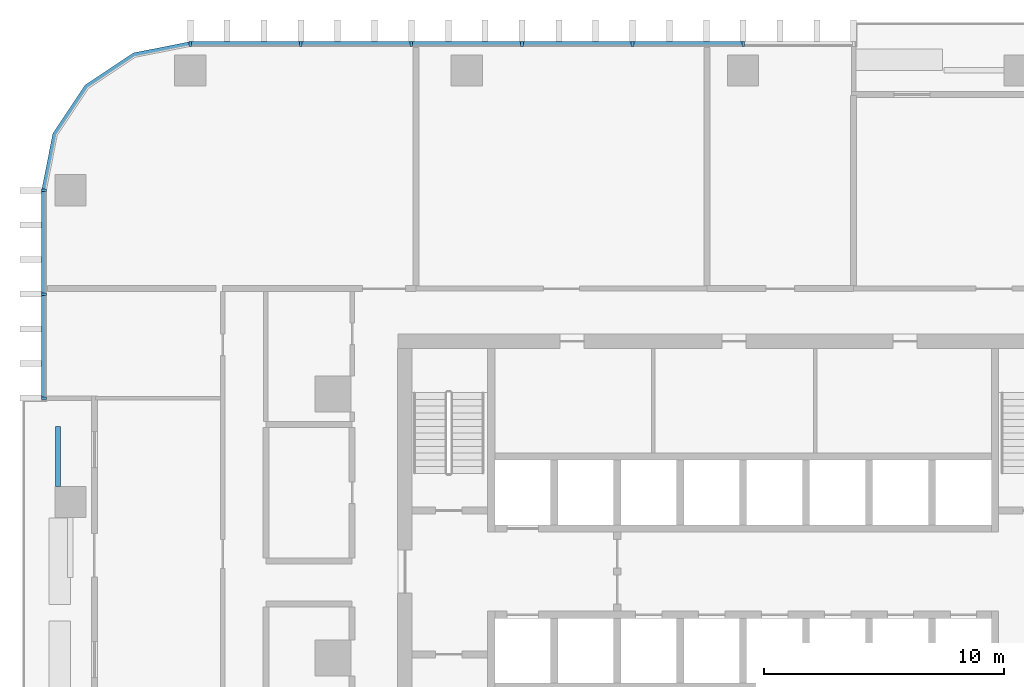
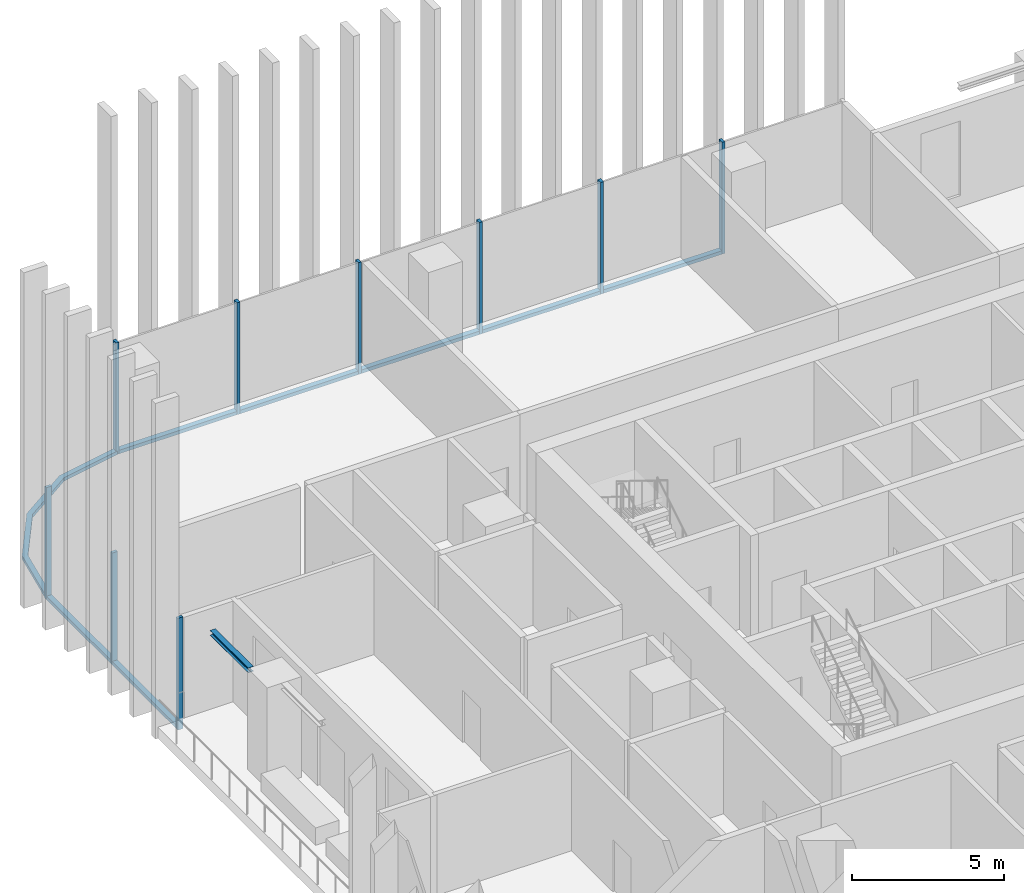
# One storey, part 4 of 17: 17 members, 1 beam, 3 elements without a shape of their own.
"""IFC4 building model written with IfcOpenShell, lengths in metres."""

from ifc_helpers import new_model, si_unit, direction, frame, origin, origin_2d, place, context, subcontext, project, spatial, polyline, rectangle, i_section, outline, extrude, material, material_profile, profile_set, type_object, element, aggregate, save


model = new_model("IFC4")

# Units and contexts
model_context = context("Model", 3, precision=1e-05, world=origin(), true_north=direction((0.0, 1.0)))
body_context = subcontext(model_context, "Body", "Model", "MODEL_VIEW")
ifc_project = project(units=[si_unit("LENGTHUNIT", "METRE"), si_unit("AREAUNIT", "SQUARE_METRE"), si_unit("VOLUMEUNIT", "CUBIC_METRE"), si_unit("PLANEANGLEUNIT", "RADIAN"), si_unit("MASSUNIT", "GRAM", prefix="KILO")], contexts=[model_context])

# Site, building, storey
site_placement = place(None, origin())
site = spatial("IfcSite", under=ifc_project, at=site_placement, CompositionType="ELEMENT")
building_placement = place(site_placement, origin())
building = spatial("IfcBuilding", under=site, at=building_placement, Name="Mopane Tessera Tower", CompositionType="ELEMENT")
storey_placement = place(building_placement, frame((0.0, 0.0, 108.10009765625)))
storey = spatial("IfcBuildingStorey", under=building, at=storey_placement, Name="L21", CompositionType="ELEMENT", Elevation=108.10009765625)

# Curtain wall, members
ifc_material_1 = material(Name="Aluminium frame", Category="aluminium")
curtain_wall_type = type_object("IfcCurtainWallType", Name="Lower tower unitised wall", PredefinedType="NOTDEFINED", material=ifc_material_1)
curtain_wall_1_placement = place(storey_placement, origin())
curtain_wall_1 = element("IfcCurtainWall", 1, at=curtain_wall_1_placement, inside=storey, type_object=curtain_wall_type, Name="e:cw:L21:N:4", PredefinedType="NOTDEFINED")
ifc_material_2 = material(Name="Aluminium frame", Category="aluminium")
ifc_material_profile_1 = material_profile(ifc_material_2, rectangle(XDim=0.110107421875, YDim=0.199951171875, at=origin_2d()))
ifc_profile_set_1 = profile_set([ifc_material_profile_1], Name="Aluminium frame")
member_type_1 = type_object("IfcMemberType", Name="Aluminium mullion 110 x 200", PredefinedType="MULLION", material=ifc_profile_set_1)
member_1_placement = place(storey_placement, frame((0.0, 25.60009765625, -0.4501953125), z_axis=(0.0, 0.0, 1.0), x_axis=(-1.0, 0.0, 0.0)))
member_1 = element("IfcMember", 2, at=member_1_placement, type_object=member_type_1, Name="e:cw:L21:N:4:mu5", PredefinedType="MULLION", context=body_context, shape_type="SweptSolid", body=[
    extrude(rectangle(XDim=0.110107421875, YDim=0.199951171875, at=origin_2d()), origin(), (0.0, 0.0, 1.0), 4.5),
])
member_2_placement = place(storey_placement, frame((-4.610107421875, 25.60009765625, -0.4501953125), z_axis=(0.0, 0.0, 1.0), x_axis=(-1.0, 0.0, 0.0)))
member_2 = element("IfcMember", 3, at=member_2_placement, type_object=member_type_1, Name="e:cw:L21:N:4:mu6", PredefinedType="MULLION", context=body_context, shape_type="SweptSolid", body=[
    extrude(rectangle(XDim=0.110107421875, YDim=0.199951171875, at=origin_2d()), origin(), (0.0, 0.0, 1.0), 4.5),
])
member_3_placement = place(storey_placement, frame((-9.219970703125, 25.60009765625, -0.4501953125), z_axis=(0.0, 0.0, 1.0), x_axis=(-1.0, 0.0, 0.0)))
member_3 = element("IfcMember", 4, at=member_3_placement, type_object=member_type_1, Name="e:cw:L21:N:4:mu7", PredefinedType="MULLION", context=body_context, shape_type="SweptSolid", body=[
    extrude(rectangle(XDim=0.110107421875, YDim=0.199951171875, at=origin_2d()), origin(), (0.0, 0.0, 1.0), 4.5),
])
member_4_placement = place(storey_placement, frame((-13.830078125, 25.60009765625, -0.4501953125), z_axis=(0.0, 0.0, 1.0), x_axis=(-1.0, 0.0, 0.0)))
member_4 = element("IfcMember", 5, at=member_4_placement, type_object=member_type_1, Name="e:cw:L21:N:4:mu8", PredefinedType="MULLION", context=body_context, shape_type="SweptSolid", body=[
    extrude(rectangle(XDim=0.110107421875, YDim=0.199951171875, at=origin_2d()), origin(), (0.0, 0.0, 1.0), 4.5),
])
member_5_placement = place(storey_placement, frame((-18.43994140625, 25.60009765625, -0.4501953125), z_axis=(0.0, 0.0, 1.0), x_axis=(-1.0, 0.0, 0.0)))
member_5 = element("IfcMember", 6, at=member_5_placement, type_object=member_type_1, Name="e:cw:L21:N:4:mu9", PredefinedType="MULLION", context=body_context, shape_type="SweptSolid", body=[
    extrude(rectangle(XDim=0.110107421875, YDim=0.199951171875, at=origin_2d()), origin(), (0.0, 0.0, 1.0), 4.5),
])
member_6_placement = place(storey_placement, frame((-23.050048828125, 25.60009765625, -0.4501953125), z_axis=(0.0, 0.0, 1.0), x_axis=(-1.0, 0.0, 0.0)))
member_6 = element("IfcMember", 7, at=member_6_placement, type_object=member_type_1, Name="e:cw:L21:N:4:mu10", PredefinedType="MULLION", context=body_context, shape_type="SweptSolid", body=[
    extrude(rectangle(XDim=0.110107421875, YDim=0.199951171875, at=origin_2d()), origin(), (0.0, 0.0, 1.0), 4.5),
])

curtain_wall_2_placement = place(storey_placement, origin())
curtain_wall_2 = element("IfcCurtainWall", 8, at=curtain_wall_2_placement, inside=storey, type_object=curtain_wall_type, Name="e:cw:L21:W:0", PredefinedType="NOTDEFINED")
member_7_placement = place(storey_placement, frame((-29.14990234375, 19.5, -0.4501953125), z_axis=(0.0, 0.0, 1.0), x_axis=(0.0, -1.0, 0.0)))
member_7 = element("IfcMember", 9, at=member_7_placement, type_object=member_type_1, Name="e:cw:L21:W:0:mu0", PredefinedType="MULLION", context=body_context, shape_type="SweptSolid", body=[
    extrude(rectangle(XDim=0.110107421875, YDim=0.199951171875, at=origin_2d()), origin(), (0.0, 0.0, 1.0), 4.5),
])
member_8_placement = place(storey_placement, frame((-29.14990234375, 15.166748046875, -0.4501953125), z_axis=(0.0, 0.0, 1.0), x_axis=(0.0, -1.0, 0.0)))
member_8 = element("IfcMember", 10, at=member_8_placement, type_object=member_type_1, Name="e:cw:L21:W:0:mu1", PredefinedType="MULLION", context=body_context, shape_type="SweptSolid", body=[
    extrude(rectangle(XDim=0.110107421875, YDim=0.199951171875, at=origin_2d()), origin(), (0.0, 0.0, 1.0), 4.5),
])
member_9_placement = place(storey_placement, frame((-29.14990234375, 10.833251953125, -0.4501953125), z_axis=(0.0, 0.0, 1.0), x_axis=(0.0, -1.0, 0.0)))
member_9 = element("IfcMember", 11, at=member_9_placement, type_object=member_type_1, Name="e:cw:L21:W:0:mu2", PredefinedType="MULLION", context=body_context, shape_type="SweptSolid", body=[
    extrude(rectangle(XDim=0.110107421875, YDim=0.199951171875, at=origin_2d()), origin(), (0.0, 0.0, 1.0), 4.5),
])

# Member
ifc_material_3 = material(Name="Aluminium frame", Category="aluminium")
ifc_material_profile_2 = material_profile(ifc_material_3, rectangle(XDim=0.199951171875, YDim=0.139892578125, at=origin_2d()))
ifc_profile_set_2 = profile_set([ifc_material_profile_2], Name="Aluminium frame")
member_type_2 = type_object("IfcMemberType", Name="Aluminium transom 200 x 140", PredefinedType="USERDEFINED", material=ifc_profile_set_2)
member_10_placement = place(storey_placement, frame((-0.054931640625, 25.60009765625, -0.380126953125), z_axis=(-1.0, 0.0, 0.0), x_axis=(0.0, -1.0, 0.0)))
member_10 = element("IfcMember", 12, at=member_10_placement, type_object=member_type_2, Name="e:cw:L21:N:4:tr5", ObjectType="TRANSOM", PredefinedType="USERDEFINED", context=body_context, shape_type="SweptSolid", body=[
    extrude(rectangle(XDim=0.199951171875, YDim=0.139892578125, at=origin_2d()), origin(), (0.0, 0.0, 1.0), 4.5),
])

member_11_placement = place(storey_placement, frame((-4.6650390625, 25.60009765625, -0.380126953125), z_axis=(-1.0, 0.0, 0.0), x_axis=(0.0, -1.0, 0.0)))
member_11 = element("IfcMember", 13, at=member_11_placement, type_object=member_type_2, Name="e:cw:L21:N:4:tr6", ObjectType="TRANSOM", PredefinedType="USERDEFINED", context=body_context, shape_type="SweptSolid", body=[
    extrude(rectangle(XDim=0.199951171875, YDim=0.139892578125, at=origin_2d()), origin(), (0.0, 0.0, 1.0), 4.5),
])

member_12_placement = place(storey_placement, frame((-9.27490234375, 25.60009765625, -0.380126953125), z_axis=(-1.0, 0.0, 0.0), x_axis=(0.0, -1.0, 0.0)))
member_12 = element("IfcMember", 14, at=member_12_placement, type_object=member_type_2, Name="e:cw:L21:N:4:tr7", ObjectType="TRANSOM", PredefinedType="USERDEFINED", context=body_context, shape_type="SweptSolid", body=[
    extrude(rectangle(XDim=0.199951171875, YDim=0.139892578125, at=origin_2d()), origin(), (0.0, 0.0, 1.0), 4.5),
])

member_13_placement = place(storey_placement, frame((-13.885009765625, 25.60009765625, -0.380126953125), z_axis=(-1.0, 0.0, 0.0), x_axis=(0.0, -1.0, 0.0)))
member_13 = element("IfcMember", 15, at=member_13_placement, type_object=member_type_2, Name="e:cw:L21:N:4:tr8", ObjectType="TRANSOM", PredefinedType="USERDEFINED", context=body_context, shape_type="SweptSolid", body=[
    extrude(rectangle(XDim=0.199951171875, YDim=0.139892578125, at=origin_2d()), origin(), (0.0, 0.0, 1.0), 4.5),
])

member_14_placement = place(storey_placement, frame((-18.4951171875, 25.60009765625, -0.380126953125), z_axis=(-1.0, 0.0, 0.0), x_axis=(0.0, -1.0, 0.0)))
member_14 = element("IfcMember", 16, at=member_14_placement, type_object=member_type_2, Name="e:cw:L21:N:4:tr9", ObjectType="TRANSOM", PredefinedType="USERDEFINED", context=body_context, shape_type="SweptSolid", body=[
    extrude(rectangle(XDim=0.199951171875, YDim=0.139892578125, at=origin_2d()), origin(), (0.0, 0.0, 1.0), 4.5),
])

aggregate(curtain_wall_1, [member_1, member_2, member_3, member_4, member_5, member_6, member_10, member_11, member_12, member_13, member_14])

# Curtain wall, member
curtain_wall_3_placement = place(storey_placement, origin())
curtain_wall_3 = element("IfcCurtainWall", 17, at=curtain_wall_3_placement, inside=storey, type_object=curtain_wall_type, Name="e:cw:L21:CN", PredefinedType="NOTDEFINED")
member_15_placement = place(storey_placement, frame((0.0, 0.0, -0.4501953125)))
member_15 = element("IfcMember", 18, at=member_15_placement, type_object=member_type_2, Name="e:cw:L21:CN:tr", ObjectType="TRANSOM", PredefinedType="USERDEFINED", context=body_context, shape_type="SweptSolid", body=[
    extrude(outline(polyline([(-23.050048828125, 25.5), (-25.34619140625, 25.043212890625), (-27.292724609375, 23.74267578125), (-28.59326171875, 21.796142578125), (-29.050048828125, 19.5), (-29.25, 19.5), (-28.778076171875, 21.87255859375), (-27.43408203125, 23.884033203125), (-25.422607421875, 25.22802734375), (-23.050048828125, 25.699951171875), (-23.050048828125, 25.5)])), origin(), (0.0, 0.0, 1.0), 0.14013671875),
])
aggregate(curtain_wall_3, [member_15])

# Member
member_16_placement = place(storey_placement, frame((-29.14990234375, 19.445068359375, -0.380126953125), z_axis=(0.0, -1.0, 0.0), x_axis=(1.0, 0.0, 0.0)))
member_16 = element("IfcMember", 19, at=member_16_placement, type_object=member_type_2, Name="e:cw:L21:W:0:tr0", ObjectType="TRANSOM", PredefinedType="USERDEFINED", context=body_context, shape_type="SweptSolid", body=[
    extrude(rectangle(XDim=0.199951171875, YDim=0.139892578125, at=origin_2d()), origin(), (0.0, 0.0, 1.0), 4.223388671875),
])

member_17_placement = place(storey_placement, frame((-29.14990234375, 15.111572265625, -0.380126953125), z_axis=(0.0, -1.0, 0.0), x_axis=(1.0, 0.0, 0.0)))
member_17 = element("IfcMember", 20, at=member_17_placement, type_object=member_type_2, Name="e:cw:L21:W:0:tr1", ObjectType="TRANSOM", PredefinedType="USERDEFINED", context=body_context, shape_type="SweptSolid", body=[
    extrude(rectangle(XDim=0.199951171875, YDim=0.139892578125, at=origin_2d()), origin(), (0.0, 0.0, 1.0), 4.22314453125),
])

aggregate(curtain_wall_2, [member_7, member_8, member_9, member_16, member_17])

# Beam
ifc_material_4 = material(Name="Structural steel S460", Category="steel")
ifc_material_profile_3 = material_profile(ifc_material_4, i_section(OverallWidth=0.199951171875, OverallDepth=0.199951171875, WebThickness=0.009033203125, FlangeThickness=0.014892578125, FilletRadius=0.01806640625, at=origin_2d()))
ifc_profile_set_3 = profile_set([ifc_material_profile_3], Name="Structural steel S460")
beam_type = type_object("IfcBeamType", Name="Terrace trimmer beam HE 200 B", PredefinedType="BEAM", material=ifc_profile_set_3)
beam_placement = place(storey_placement, frame((-28.570068359375, 7.153076171875, 3.949951171875), z_axis=(0.0, 1.0, 0.0), x_axis=(-1.0, 0.0, 0.0)))
element("IfcBeam", 21, at=beam_placement, inside=storey, type_object=beam_type, Name="Terrace trimmer beam N2 L22", PredefinedType="BEAM", context=body_context, shape_type="SweptSolid", body=[
    extrude(i_section(OverallWidth=0.199951171875, OverallDepth=0.199951171875, WebThickness=0.009033203125, FlangeThickness=0.014892578125, FilletRadius=0.01806640625, at=origin_2d()), origin(), (0.0, 0.0, 1.0), 2.5),
])

save(model, "model.ifc")
